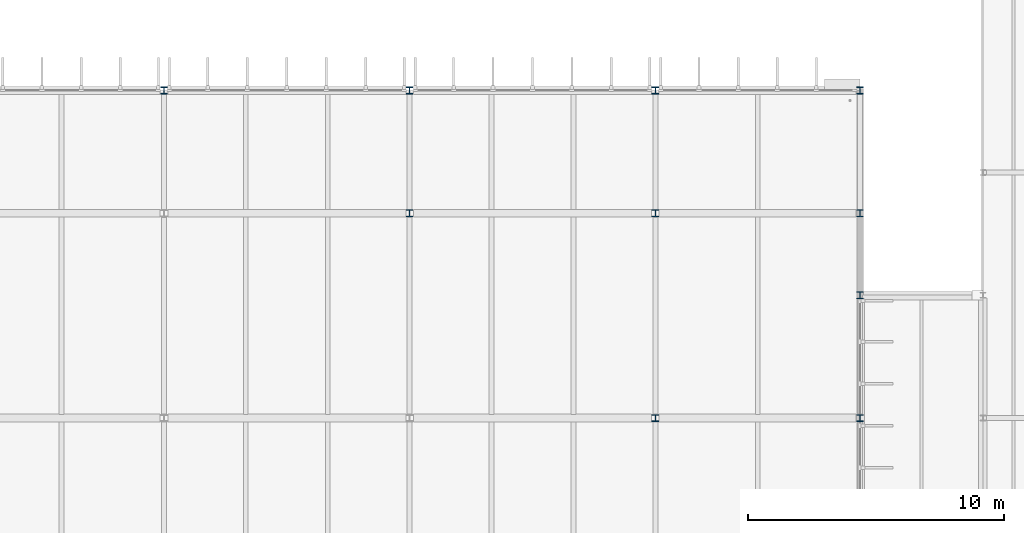
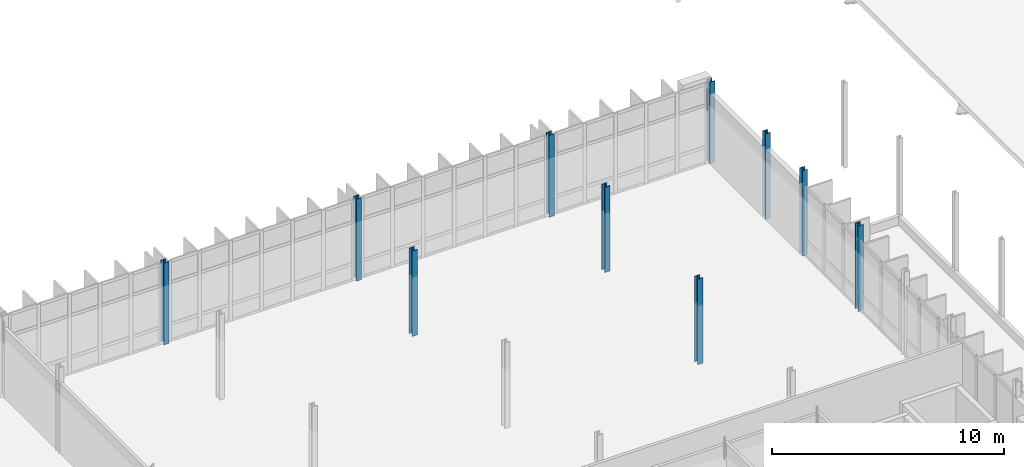
# One storey, part 8 of 93: 10 columns.
"""IFC4 building model written with IfcOpenShell, lengths in metres."""

from ifc_helpers import new_model, si_unit, direction, frame, origin, origin_2d, place, context, subcontext, project, spatial, i_section, extrude, material, material_profile, profile_set, type_object, element, save


model = new_model("IFC4")

# Units and contexts
model_context = context("Model", 3, precision=1e-05, world=origin(), true_north=direction((0.0, 1.0)))
body_context = subcontext(model_context, "Body", "Model", "MODEL_VIEW")
ifc_project = project(units=[si_unit("LENGTHUNIT", "METRE"), si_unit("AREAUNIT", "SQUARE_METRE"), si_unit("VOLUMEUNIT", "CUBIC_METRE"), si_unit("PLANEANGLEUNIT", "RADIAN"), si_unit("MASSUNIT", "GRAM", prefix="KILO")], contexts=[model_context])

# Site, building, storey
site_placement = place(None, origin())
site = spatial("IfcSite", under=ifc_project, at=site_placement, CompositionType="ELEMENT")
building_placement = place(site_placement, origin())
building = spatial("IfcBuilding", under=site, at=building_placement, Name="Dunescarp Central Library", CompositionType="ELEMENT")
storey_placement = place(building_placement, frame((0.0, 0.0, 14.10009765625)))
storey = spatial("IfcBuildingStorey", under=building, at=storey_placement, Name="L03", CompositionType="ELEMENT", Elevation=14.10009765625)

# Columns
ifc_material = material(Name="Steel S355JR", Category="steel")
ifc_material_profile_1 = material_profile(ifc_material, i_section(OverallWidth=0.26123046875, OverallDepth=0.2763671875, WebThickness=0.015380859375, FlangeThickness=0.025390625, at=origin_2d()), Name="UC 254x254x132")
ifc_profile_set_1 = profile_set([ifc_material_profile_1], Name="Steel S355JR")
column_type_1 = type_object("IfcColumnType", Name="STR-COL-UC254X132", PredefinedType="COLUMN", material=ifc_profile_set_1)
column_1_placement = place(storey_placement, frame((97.60009765625, 33.60009765625, 0.0), z_axis=(0.0, 0.0, 1.0), x_axis=(1.0, 0.0, 0.0)))
element("IfcColumn", 1, at=column_1_placement, inside=storey, type_object=column_type_1, Name="L03 column V3-976-336", PredefinedType="COLUMN", context=body_context, shape_type="SweptSolid", body=[
    extrude(i_section(OverallWidth=0.26123046875, OverallDepth=0.2763671875, WebThickness=0.015380859375, FlangeThickness=0.025390625, at=origin_2d()), origin(), (0.0, 0.0, 1.0), 4.309814453125),
])
column_2_placement = place(storey_placement, frame((107.199951171875, 28.800048828125, 0.0), z_axis=(0.0, 0.0, 1.0), x_axis=(1.0, 0.0, 0.0)))
element("IfcColumn", 2, at=column_2_placement, inside=storey, type_object=column_type_1, Name="L03 column V3-1072-288", PredefinedType="COLUMN", context=body_context, shape_type="SweptSolid", body=[
    extrude(i_section(OverallWidth=0.26123046875, OverallDepth=0.2763671875, WebThickness=0.015380859375, FlangeThickness=0.025390625, at=origin_2d()), origin(), (0.0, 0.0, 1.0), 4.5),
])
column_3_placement = place(storey_placement, frame((107.199951171875, 33.60009765625, 0.0), z_axis=(0.0, 0.0, 1.0), x_axis=(1.0, 0.0, 0.0)))
element("IfcColumn", 3, at=column_3_placement, inside=storey, type_object=column_type_1, Name="L03 column V3-1072-336", PredefinedType="COLUMN", context=body_context, shape_type="SweptSolid", body=[
    extrude(i_section(OverallWidth=0.26123046875, OverallDepth=0.2763671875, WebThickness=0.015380859375, FlangeThickness=0.025390625, at=origin_2d()), origin(), (0.0, 0.0, 1.0), 4.309814453125),
])
for number, where, z_axis, x_axis, name in (
    (4, (116.800048828125, 20.800048828125, 0.0), (0.0, 0.0, 1.0), (1.0, 0.0, 0.0), "L03 column V3-1168-208"),
    (5, (116.800048828125, 28.800048828125, 0.0), (0.0, 0.0, 1.0), (1.0, 0.0, 0.0), "L03 column V3-1168-288"),
):
    element("IfcColumn", number, at=place(storey_placement, frame(where, z_axis=z_axis, x_axis=x_axis)), inside=storey, type_object=column_type_1, Name=name, PredefinedType="COLUMN", context=body_context, shape_type="SweptSolid", body=[
        extrude(i_section(OverallWidth=0.26123046875, OverallDepth=0.2763671875, WebThickness=0.015380859375, FlangeThickness=0.025390625, at=origin_2d()), origin(), (0.0, 0.0, 1.0), 4.5),
    ])
column_4_placement = place(storey_placement, frame((116.800048828125, 33.60009765625, 0.0), z_axis=(0.0, 0.0, 1.0), x_axis=(1.0, 0.0, 0.0)))
element("IfcColumn", 6, at=column_4_placement, inside=storey, type_object=column_type_1, Name="L03 column V3-1168-336", PredefinedType="COLUMN", context=body_context, shape_type="SweptSolid", body=[
    extrude(i_section(OverallWidth=0.26123046875, OverallDepth=0.2763671875, WebThickness=0.015380859375, FlangeThickness=0.025390625, at=origin_2d()), origin(), (0.0, 0.0, 1.0), 4.309814453125),
])
for number, where, z_axis, x_axis, name in (
    (7, (124.800048828125, 20.800048828125, 0.0), (0.0, 0.0, 1.0), (1.0, 0.0, 0.0), "L03 column V3-1248-208"),
    (8, (124.800048828125, 28.800048828125, 0.0), (0.0, 0.0, 1.0), (1.0, 0.0, 0.0), "L03 column V3-1248-288"),
):
    element("IfcColumn", number, at=place(storey_placement, frame(where, z_axis=z_axis, x_axis=x_axis)), inside=storey, type_object=column_type_1, Name=name, PredefinedType="COLUMN", context=body_context, shape_type="SweptSolid", body=[
        extrude(i_section(OverallWidth=0.26123046875, OverallDepth=0.2763671875, WebThickness=0.015380859375, FlangeThickness=0.025390625, at=origin_2d()), origin(), (0.0, 0.0, 1.0), 4.5),
    ])
column_5_placement = place(storey_placement, frame((124.800048828125, 33.60009765625, 0.0), z_axis=(0.0, 0.0, 1.0), x_axis=(1.0, 0.0, 0.0)))
element("IfcColumn", 9, at=column_5_placement, inside=storey, type_object=column_type_1, Name="L03 column V3-1248-336", PredefinedType="COLUMN", context=body_context, shape_type="SweptSolid", body=[
    extrude(i_section(OverallWidth=0.26123046875, OverallDepth=0.2763671875, WebThickness=0.015380859375, FlangeThickness=0.025390625, at=origin_2d()), origin(), (0.0, 0.0, 1.0), 4.309814453125),
])
ifc_material_profile_2 = material_profile(ifc_material, i_section(OverallWidth=0.25634765625, OverallDepth=0.26025390625, WebThickness=0.01025390625, FlangeThickness=0.017333984375, at=origin_2d()), Name="UC 254x254x89")
ifc_profile_set_2 = profile_set([ifc_material_profile_2], Name="Steel S355JR")
column_type_2 = type_object("IfcColumnType", Name="STR-COL-UC254X89", PredefinedType="COLUMN", material=ifc_profile_set_2)
column_6_placement = place(storey_placement, frame((124.800048828125, 25.60009765625, 0.0), z_axis=(0.0, 0.0, 1.0), x_axis=(1.0, 0.0, 0.0)))
element("IfcColumn", 10, at=column_6_placement, inside=storey, type_object=column_type_2, Name="L03 column V3L-1248-256", PredefinedType="COLUMN", context=body_context, shape_type="SweptSolid", body=[
    extrude(i_section(OverallWidth=0.25634765625, OverallDepth=0.26025390625, WebThickness=0.01025390625, FlangeThickness=0.017333984375, at=origin_2d()), origin(), (0.0, 0.0, 1.0), 4.5),
])

save(model, "model.ifc")
